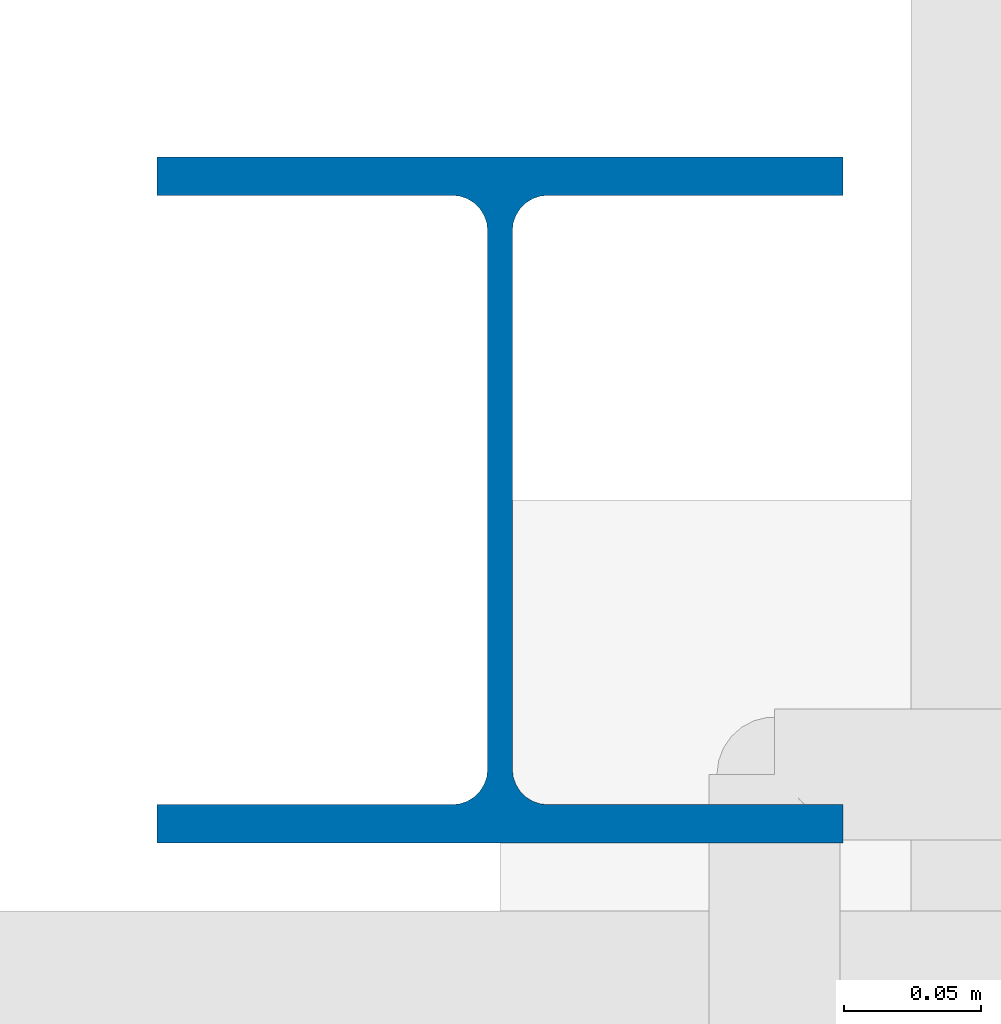
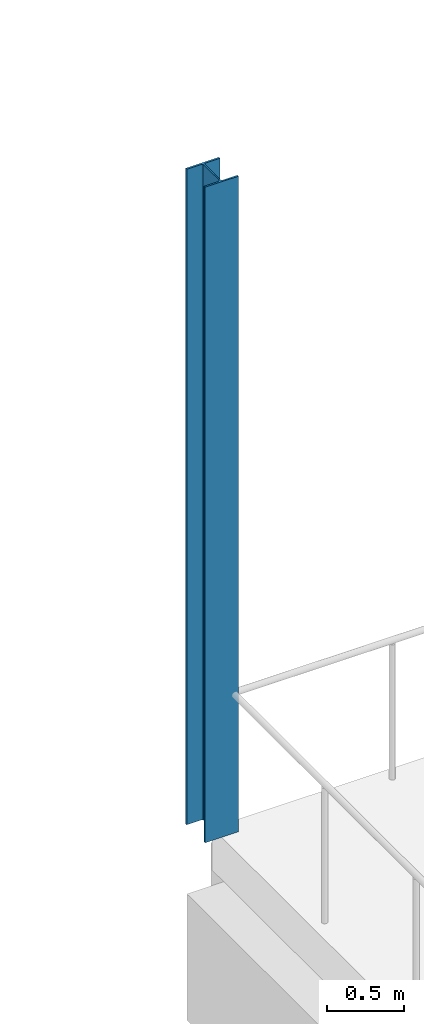
# One storey, part 2 of 112: 1 column.
"""IFC4 building model written with IfcOpenShell, lengths in metres."""

from ifc_helpers import new_model, si_unit, direction, frame, origin, origin_2d, place, context, subcontext, project, spatial, i_section, extrude, material, material_profile, profile_set, type_object, element, save


model = new_model("IFC4")

# Units and contexts
model_context = context("Model", 3, precision=1e-05, world=origin(), true_north=direction((0.0, 1.0)))
body_context = subcontext(model_context, "Body", "Model", "MODEL_VIEW")
ifc_project = project(units=[si_unit("LENGTHUNIT", "METRE"), si_unit("AREAUNIT", "SQUARE_METRE"), si_unit("VOLUMEUNIT", "CUBIC_METRE"), si_unit("PLANEANGLEUNIT", "RADIAN"), si_unit("MASSUNIT", "GRAM", prefix="KILO")], contexts=[model_context])

# Site, building, storey
site_placement = place(None, origin())
site = spatial("IfcSite", under=ifc_project, at=site_placement, CompositionType="ELEMENT")
building_placement = place(site_placement, origin())
building = spatial("IfcBuilding", under=site, at=building_placement, Name="Kamomehara Wholesale Market", CompositionType="ELEMENT")
storey_placement = place(building_placement, frame((0.0, 0.0, 6.60009765625)))
storey = spatial("IfcBuildingStorey", under=building, at=storey_placement, Name="L01", CompositionType="ELEMENT", Elevation=6.60009765625)

# Column
ifc_material = material(Name="Steel SN490B", Category="steel")
ifc_material_profile = material_profile(ifc_material, i_section(OverallWidth=0.25, OverallDepth=0.25, WebThickness=0.009033203125, FlangeThickness=0.013916015625, FilletRadius=0.012939453125, at=origin_2d()), Name="H-250x250x9x14")
ifc_profile_set = profile_set([ifc_material_profile], Name="Steel SN490B")
column_type = type_object("IfcColumnType", Name="COL-ST-H250-EXT", PredefinedType="COLUMN", material=ifc_profile_set)
column_placement = place(storey_placement, frame((60.0, 72.0, 0.0), z_axis=(0.0, 0.0, 1.0), x_axis=(1.0, 0.0, 0.0)))
element("IfcColumn", 1, at=column_placement, inside=storey, type_object=column_type, Name="Column CS-04E L01", PredefinedType="COLUMN", context=body_context, shape_type="SweptSolid", body=[
    extrude(i_section(OverallWidth=0.25, OverallDepth=0.25, WebThickness=0.009033203125, FlangeThickness=0.013916015625, FilletRadius=0.012939453125, at=origin_2d()), origin(), (0.0, 0.0, 1.0), 5.199951171875),
])

save(model, "model.ifc")
